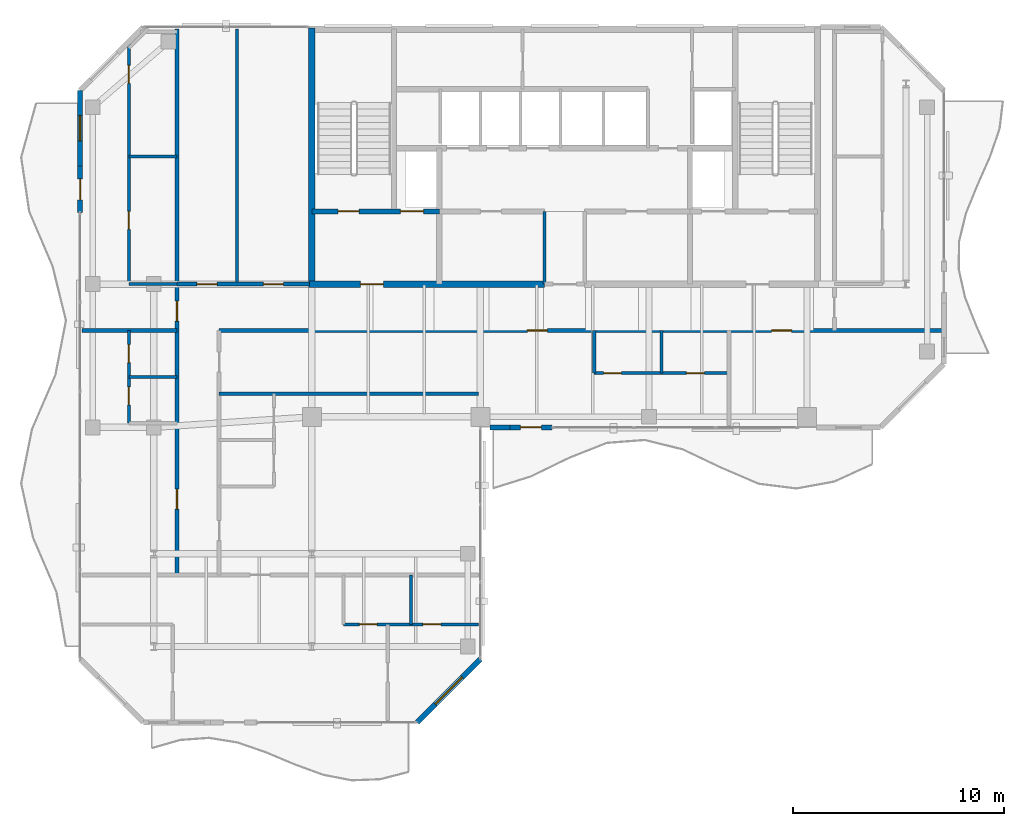
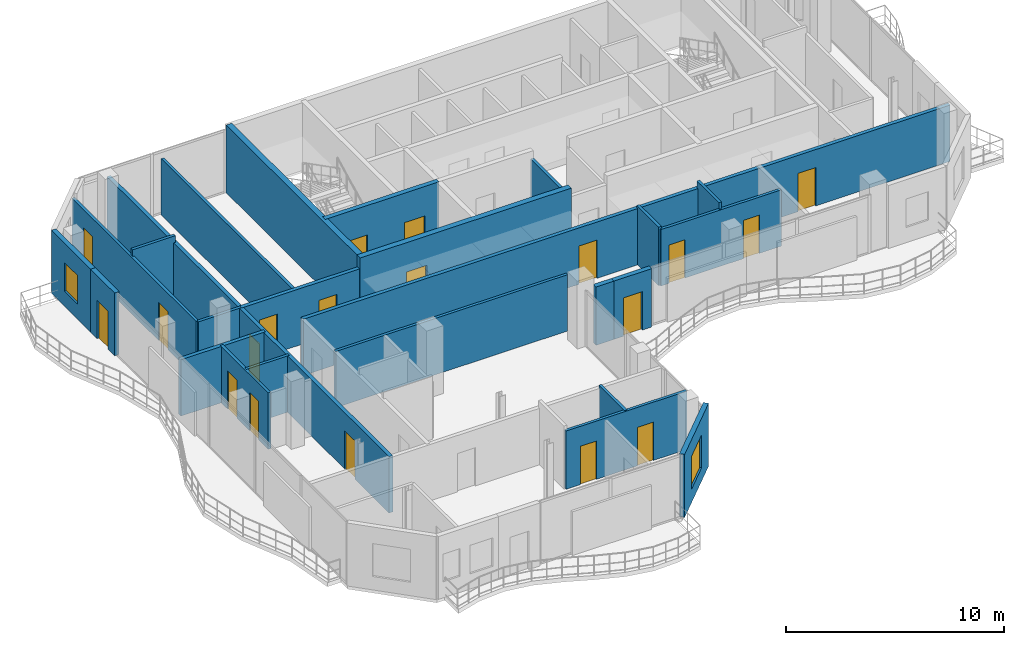
# One storey, part 18 of 23: 25 walls, 19 doors, 2 windows, 21 openings.
"""IFC4 building model written with IfcOpenShell, lengths in metres."""

from ifc_helpers import new_model, si_unit, direction, frame, frame_2d, origin, place, context, subcontext, project, spatial, rectangle, extrude, material, layer, layer_set, type_object, element, fill, save


model = new_model("IFC4")

# Units and contexts
model_context = context("Model", 3, precision=1e-05, world=origin(), true_north=direction((0.0, 1.0)))
body_context = subcontext(model_context, "Body", "Model", "MODEL_VIEW")
ifc_project = project(units=[si_unit("LENGTHUNIT", "METRE"), si_unit("AREAUNIT", "SQUARE_METRE"), si_unit("VOLUMEUNIT", "CUBIC_METRE"), si_unit("PLANEANGLEUNIT", "RADIAN"), si_unit("MASSUNIT", "GRAM", prefix="KILO")], contexts=[model_context])

# Site, building, storey
site_placement = place(None, origin())
site = spatial("IfcSite", under=ifc_project, at=site_placement, CompositionType="ELEMENT")
building_placement = place(site_placement, origin())
building = spatial("IfcBuilding", under=site, at=building_placement, Name="Catumbela Crestline Tower", CompositionType="ELEMENT")
storey_placement = place(building_placement, frame((0.0, 0.0, 248.8)))
storey = spatial("IfcBuildingStorey", under=building, at=storey_placement, Name="L64", CompositionType="ELEMENT", Elevation=248.8)

# Wall, openings, doors
ifc_material_1 = material(Name="Concrete C50/60", Category="concrete")
ifc_layer_1 = layer(ifc_material_1, 0.25, Name="Concrete C50/60")
ifc_layer_set_1 = layer_set([ifc_layer_1], Name="Concrete C50/60")
wall_type_1 = type_object("IfcWallType", Name="CW-250D", PredefinedType="SHEAR", material=ifc_layer_set_1)
wall_1_placement = place(storey_placement, frame((16.0, 34.25, 0.0), z_axis=(0.0, 0.0, 1.0), x_axis=(1.0, 0.0, 0.0)))
wall_1 = element("IfcWall", 1, at=wall_1_placement, inside=storey, type_object=wall_type_1, Name="L64 Structural Core Shear Wall ST1S", PredefinedType="SHEAR", context=body_context, shape_type="SweptSolid", body=[
    extrude(rectangle(XDim=6.05, YDim=0.25, at=frame_2d((3.025, 0.0))), origin(), (0.0, 0.0, 1.0), 3.8),
])
opening_1_placement = place(wall_1_placement, frame((1.25, 0.0, 0.0)))
opening_1 = element("IfcOpeningElement", 2, at=opening_1_placement, cuts=wall_1, Name="Opening DF9-100", PredefinedType="OPENING", context=body_context, shape_type="SweptSolid", body=[
    extrude(rectangle(XDim=1.0, YDim=2.15, at=frame_2d((0.5, 1.075))), frame((0.0, 0.135, 0.0), z_axis=(0.0, -1.0, 0.0), x_axis=(1.0, 0.0, 0.0)), (0.0, 0.0, 1.0), 0.27),
])
opening_2_placement = place(wall_1_placement, frame((4.2, 0.0, 0.0)))
opening_2 = element("IfcOpeningElement", 3, at=opening_2_placement, cuts=wall_1, Name="Opening LD-110", PredefinedType="OPENING", context=body_context, shape_type="SweptSolid", body=[
    extrude(rectangle(XDim=1.1, YDim=2.15, at=frame_2d((0.55, 1.075))), frame((0.0, 0.135, 0.0), z_axis=(0.0, -1.0, 0.0), x_axis=(1.0, 0.0, 0.0)), (0.0, 0.0, 1.0), 0.27),
])
ifc_material_2 = material(Name="Stainless steel EN 1.4401", Category="steel")
door_type_1 = type_object("IfcDoorType", Name="DF9-100", OperationType="NOTDEFINED", PredefinedType="DOOR", material=ifc_material_2)
door_1_placement = place(opening_1_placement, origin())
door_1 = element("IfcDoor", 4, at=door_1_placement, inside=storey, type_object=door_type_1, Name="L64 Interior Door DR-L64-ST01", OperationType="SINGLE_SWING_LEFT", OverallHeight=2.15, OverallWidth=1.0, PredefinedType="DOOR", context=body_context, shape_type="SweptSolid", body=[
    extrude(rectangle(XDim=1.0, YDim=2.15, at=frame_2d((0.5, 1.075))), frame((0.0, 0.025, 0.0), z_axis=(0.0, -1.0, 0.0), x_axis=(1.0, 0.0, 0.0)), (0.0, 0.0, 1.0), 0.05),
])
fill(opening_1, door_1)
door_type_2 = type_object("IfcDoorType", Name="LD-110", OperationType="NOTDEFINED", PredefinedType="DOOR", material=ifc_material_2)
door_2_placement = place(opening_2_placement, origin())
door_2 = element("IfcDoor", 5, at=door_2_placement, inside=storey, type_object=door_type_2, Name="L64 Lift Landing Sliding Door FL-01", OperationType="DOUBLE_DOOR_SLIDING", OverallHeight=2.15, OverallWidth=1.1, PredefinedType="DOOR", context=body_context, shape_type="SweptSolid", body=[
    extrude(rectangle(XDim=1.1, YDim=2.15, at=frame_2d((0.55, 1.075))), frame((0.0, 0.025, 0.0), z_axis=(0.0, -1.0, 0.0), x_axis=(1.0, 0.0, 0.0)), (0.0, 0.0, 1.0), 0.05),
])
fill(opening_2, door_2)

# Wall
ifc_material_3 = material(Name="Concrete C45/55", Category="concrete")
ifc_layer_2 = layer(ifc_material_3, 0.3, Name="Concrete C45/55")
ifc_layer_set_2 = layer_set([ifc_layer_2], Name="Concrete C45/55")
wall_type_2 = type_object("IfcWallType", Name="CW-300C", PredefinedType="SHEAR", material=ifc_layer_set_2)
wall_2_placement = place(storey_placement, frame((16.0, 30.65, 0.0), z_axis=(0.0, 0.0, 1.0), x_axis=(0.0, 1.0, 0.0)))
element("IfcWall", 6, at=wall_2_placement, inside=storey, type_object=wall_type_2, Name="L64 Structural Core Shear Wall W", PredefinedType="SHEAR", context=body_context, shape_type="SweptSolid", body=[
    extrude(rectangle(XDim=12.3, YDim=0.3, at=frame_2d((6.15, 0.0))), origin(), (0.0, 0.0, 1.0), 3.8),
])

# Wall, opening, door
wall_3_placement = place(storey_placement, frame((15.85, 30.8, 0.0), z_axis=(0.0, 0.0, 1.0), x_axis=(1.0, 0.0, 0.0)))
wall_3 = element("IfcWall", 7, at=wall_3_placement, inside=storey, type_object=wall_type_2, Name="L64 Structural Core Shear Wall SW", PredefinedType="SHEAR", context=body_context, shape_type="SweptSolid", body=[
    extrude(rectangle(XDim=11.2, YDim=0.3, at=frame_2d((5.6, 0.0))), origin(), (0.0, 0.0, 1.0), 3.8),
])
opening_3_placement = place(wall_3_placement, frame((2.45, 0.0, 0.0)))
opening_3 = element("IfcOpeningElement", 8, at=opening_3_placement, cuts=wall_3, Name="Opening DF9-110", PredefinedType="OPENING", context=body_context, shape_type="SweptSolid", body=[
    extrude(rectangle(XDim=1.1, YDim=2.15, at=frame_2d((0.55, 1.075))), frame((0.0, 0.16, 0.0), z_axis=(0.0, -1.0, 0.0), x_axis=(1.0, 0.0, 0.0)), (0.0, 0.0, 1.0), 0.32),
])
door_type_3 = type_object("IfcDoorType", Name="DF9-110", OperationType="NOTDEFINED", PredefinedType="DOOR", material=ifc_material_2)
door_3_placement = place(opening_3_placement, origin())
door_3 = element("IfcDoor", 9, at=door_3_placement, inside=storey, type_object=door_type_3, Name="L64 Interior Door DR-L64-FFW-S", OperationType="SINGLE_SWING_LEFT", OverallHeight=2.15, OverallWidth=1.1, PredefinedType="DOOR", context=body_context, shape_type="SweptSolid", body=[
    extrude(rectangle(XDim=1.1, YDim=2.15, at=frame_2d((0.55, 1.075))), frame((0.0, 0.025, 0.0), z_axis=(0.0, -1.0, 0.0), x_axis=(1.0, 0.0, 0.0)), (0.0, 0.0, 1.0), 0.05),
])
fill(opening_3, door_3)

# Wall, openings, doors
ifc_material_4 = material(Name="Acoustic gypsum and mineral-wool partition")
ifc_layer_3 = layer(ifc_material_4, 0.2, Name="Acoustic gypsum and mineral-wool partition")
ifc_layer_set_3 = layer_set([ifc_layer_3], Name="Acoustic gypsum and mineral-wool partition")
wall_type_3 = type_object("IfcWallType", Name="WC-200", PredefinedType="PARTITIONING", material=ifc_layer_set_3)
wall_4_placement = place(storey_placement, frame((11.6, 28.6, 0.0), z_axis=(0.0, 0.0, 1.0), x_axis=(1.0, 0.0, 0.0)))
wall_4 = element("IfcWall", 10, at=wall_4_placement, inside=storey, type_object=wall_type_3, Name="L64 Interior Partition PW-L64-RCWR", PredefinedType="PARTITIONING", context=body_context, shape_type="SweptSolid", body=[
    extrude(rectangle(XDim=34.3, YDim=0.2, at=frame_2d((17.15, 0.0))), origin(), (0.0, 0.0, 1.0), 3.16),
])
opening_4_placement = place(wall_4_placement, frame((14.625, 0.0, 0.0)))
opening_4 = element("IfcOpeningElement", 11, at=opening_4_placement, cuts=wall_4, Name="Opening DF6-095", PredefinedType="OPENING", context=body_context, shape_type="SweptSolid", body=[
    extrude(rectangle(XDim=0.95, YDim=2.15, at=frame_2d((0.475, 1.075))), frame((0.0, 0.11, 0.0), z_axis=(0.0, -1.0, 0.0), x_axis=(1.0, 0.0, 0.0)), (0.0, 0.0, 1.0), 0.22),
])
opening_5_placement = place(wall_4_placement, frame((26.225, 0.0, 0.0)))
opening_5 = element("IfcOpeningElement", 12, at=opening_5_placement, cuts=wall_4, Name="Opening DF6-095", PredefinedType="OPENING", context=body_context, shape_type="SweptSolid", body=[
    extrude(rectangle(XDim=0.95, YDim=2.15, at=frame_2d((0.475, 1.075))), frame((0.0, 0.11, 0.0), z_axis=(0.0, -1.0, 0.0), x_axis=(1.0, 0.0, 0.0)), (0.0, 0.0, 1.0), 0.22),
])
ifc_material_5 = material(Name="Aluminium alloy AW-6060-T66", Category="aluminium")
door_type_4 = type_object("IfcDoorType", Name="DF6-095", OperationType="NOTDEFINED", PredefinedType="DOOR", material=ifc_material_5)
door_4_placement = place(opening_4_placement, origin())
door_4 = element("IfcDoor", 13, at=door_4_placement, inside=storey, type_object=door_type_4, Name="L64 Interior Door DR-L64-S1-ENT", OperationType="SINGLE_SWING_LEFT", OverallHeight=2.15, OverallWidth=0.95, PredefinedType="DOOR", context=body_context, shape_type="SweptSolid", body=[
    extrude(rectangle(XDim=0.95, YDim=2.15, at=frame_2d((0.475, 1.075))), frame((0.0, 0.025, 0.0), z_axis=(0.0, -1.0, 0.0), x_axis=(1.0, 0.0, 0.0)), (0.0, 0.0, 1.0), 0.05),
])
fill(opening_4, door_4)
door_5_placement = place(opening_5_placement, origin())
door_5 = element("IfcDoor", 14, at=door_5_placement, inside=storey, type_object=door_type_4, Name="L64 Interior Door DR-L64-RWIN-ENT", OperationType="SINGLE_SWING_LEFT", OverallHeight=2.15, OverallWidth=0.95, PredefinedType="DOOR", context=body_context, shape_type="SweptSolid", body=[
    extrude(rectangle(XDim=0.95, YDim=2.15, at=frame_2d((0.475, 1.075))), frame((0.0, 0.025, 0.0), z_axis=(0.0, -1.0, 0.0), x_axis=(1.0, 0.0, 0.0)), (0.0, 0.0, 1.0), 0.05),
])
fill(opening_5, door_5)

wall_5_placement = place(storey_placement, frame((9.6, 17.0, 0.0), z_axis=(0.0, 0.0, 1.0), x_axis=(0.0, 1.0, 0.0)))
wall_5 = element("IfcWall", 15, at=wall_5_placement, inside=storey, type_object=wall_type_3, Name="L64 Interior Partition PW-L64-NW1-ENT", PredefinedType="PARTITIONING", context=body_context, shape_type="SweptSolid", body=[
    extrude(rectangle(XDim=25.9, YDim=0.2, at=frame_2d((12.95, 0.0))), origin(), (0.0, 0.0, 1.0), 3.16),
])
opening_6_placement = place(wall_5_placement, frame((12.045, 0.0, 0.0)))
opening_6 = element("IfcOpeningElement", 16, at=opening_6_placement, cuts=wall_5, Name="Opening DF6-095", PredefinedType="OPENING", context=body_context, shape_type="SweptSolid", body=[
    extrude(rectangle(XDim=0.95, YDim=2.15, at=frame_2d((0.475, 1.075))), frame((0.0, 0.11, 0.0), z_axis=(0.0, -1.0, 0.0), x_axis=(1.0, 0.0, 0.0)), (0.0, 0.0, 1.0), 0.22),
])
opening_7_placement = place(wall_5_placement, frame((3.125, 0.0, 0.0)))
opening_7 = element("IfcOpeningElement", 17, at=opening_7_placement, cuts=wall_5, Name="Opening DF6-095", PredefinedType="OPENING", context=body_context, shape_type="SweptSolid", body=[
    extrude(rectangle(XDim=0.95, YDim=2.15, at=frame_2d((0.475, 1.075))), frame((0.0, 0.11, 0.0), z_axis=(0.0, -1.0, 0.0), x_axis=(1.0, 0.0, 0.0)), (0.0, 0.0, 1.0), 0.22),
])
door_6_placement = place(opening_6_placement, origin())
door_6 = element("IfcDoor", 18, at=door_6_placement, inside=storey, type_object=door_type_4, Name="L64 Interior Door DR-L64-NW1-ENT", OperationType="SINGLE_SWING_LEFT", OverallHeight=2.15, OverallWidth=0.95, PredefinedType="DOOR", context=body_context, shape_type="SweptSolid", body=[
    extrude(rectangle(XDim=0.95, YDim=2.15, at=frame_2d((0.475, 1.075))), frame((0.0, 0.025, 0.0), z_axis=(0.0, -1.0, 0.0), x_axis=(1.0, 0.0, 0.0)), (0.0, 0.0, 1.0), 0.05),
])
fill(opening_6, door_6)
door_7_placement = place(opening_7_placement, origin())
door_7 = element("IfcDoor", 19, at=door_7_placement, inside=storey, type_object=door_type_4, Name="L64 Interior Door DR-L64-WL1-ENT", OperationType="SINGLE_SWING_LEFT", OverallHeight=2.15, OverallWidth=0.95, PredefinedType="DOOR", context=body_context, shape_type="SweptSolid", body=[
    extrude(rectangle(XDim=0.95, YDim=2.15, at=frame_2d((0.475, 1.075))), frame((0.0, 0.025, 0.0), z_axis=(0.0, -1.0, 0.0), x_axis=(1.0, 0.0, 0.0)), (0.0, 0.0, 1.0), 0.05),
])
fill(opening_7, door_7)

wall_6_placement = place(storey_placement, frame((9.6, 30.8, 0.0), z_axis=(0.0, 0.0, 1.0), x_axis=(1.0, 0.0, 0.0)))
wall_6 = element("IfcWall", 20, at=wall_6_placement, inside=storey, type_object=wall_type_3, Name="L64 Interior Partition PW-L64-NWST-ENT", PredefinedType="PARTITIONING", context=body_context, shape_type="SweptSolid", body=[
    extrude(rectangle(XDim=6.3, YDim=0.2, at=frame_2d((3.15, 0.0))), origin(), (0.0, 0.0, 1.0), 3.16),
])
opening_8_placement = place(wall_6_placement, frame((0.95, 0.0, 0.0)))
opening_8 = element("IfcOpeningElement", 21, at=opening_8_placement, cuts=wall_6, Name="Opening DF6-095", PredefinedType="OPENING", context=body_context, shape_type="SweptSolid", body=[
    extrude(rectangle(XDim=0.95, YDim=2.15, at=frame_2d((0.475, 1.075))), frame((0.0, 0.11, 0.0), z_axis=(0.0, -1.0, 0.0), x_axis=(1.0, 0.0, 0.0)), (0.0, 0.0, 1.0), 0.22),
])
opening_9_placement = place(wall_6_placement, frame((4.1, 0.0, 0.0)))
opening_9 = element("IfcOpeningElement", 22, at=opening_9_placement, cuts=wall_6, Name="Opening DF6-095", PredefinedType="OPENING", context=body_context, shape_type="SweptSolid", body=[
    extrude(rectangle(XDim=0.95, YDim=2.15, at=frame_2d((0.475, 1.075))), frame((0.0, 0.11, 0.0), z_axis=(0.0, -1.0, 0.0), x_axis=(1.0, 0.0, 0.0)), (0.0, 0.0, 1.0), 0.22),
])
door_8_placement = place(opening_8_placement, origin())
door_8 = element("IfcDoor", 23, at=door_8_placement, inside=storey, type_object=door_type_4, Name="L64 Interior Door DR-L64-NWST-ENT", OperationType="SINGLE_SWING_LEFT", OverallHeight=2.15, OverallWidth=0.95, PredefinedType="DOOR", context=body_context, shape_type="SweptSolid", body=[
    extrude(rectangle(XDim=0.95, YDim=2.15, at=frame_2d((0.475, 1.075))), frame((0.0, 0.025, 0.0), z_axis=(0.0, -1.0, 0.0), x_axis=(1.0, 0.0, 0.0)), (0.0, 0.0, 1.0), 0.05),
])
fill(opening_8, door_8)
door_9_placement = place(opening_9_placement, origin())
door_9 = element("IfcDoor", 24, at=door_9_placement, inside=storey, type_object=door_type_4, Name="L64 Interior Door DR-L64-NWMT-ENT", OperationType="SINGLE_SWING_LEFT", OverallHeight=2.15, OverallWidth=0.95, PredefinedType="DOOR", context=body_context, shape_type="SweptSolid", body=[
    extrude(rectangle(XDim=0.95, YDim=2.15, at=frame_2d((0.475, 1.075))), frame((0.0, 0.025, 0.0), z_axis=(0.0, -1.0, 0.0), x_axis=(1.0, 0.0, 0.0)), (0.0, 0.0, 1.0), 0.05),
])
fill(opening_9, door_9)

# Wall, opening, window
ifc_material_6 = material(Name="Angolan grey-ochre granite", Category="masonry")
ifc_layer_4 = layer(ifc_material_6, 0.25, Name="Angolan grey-ochre granite")
ifc_layer_set_4 = layer_set([ifc_layer_4], Name="Angolan grey-ochre granite")
wall_type_4 = type_object("IfcWallType", Name="WE-250", PredefinedType="STANDARD", material=ifc_layer_set_4)
wall_7_placement = place(storey_placement, frame((21.0, 10.0, 0.0), z_axis=(0.0, 0.0, 1.0), x_axis=(0.707106781187, 0.707106781187, 0.0)))
wall_7 = element("IfcWall", 25, at=wall_7_placement, inside=storey, type_object=wall_type_4, Name="L64 Granite Punched Window Wall 1-1", PredefinedType="STANDARD", context=body_context, shape_type="SweptSolid", body=[
    extrude(rectangle(XDim=4.2426, YDim=0.25, at=frame_2d((2.1213, 0.0))), origin(), (0.0, 0.0, 1.0), 3.53),
])
opening_10_placement = place(wall_7_placement, frame((1.2213, 0.0, 0.75)))
opening_10 = element("IfcOpeningElement", 26, at=opening_10_placement, cuts=wall_7, Name="Opening WN-01", PredefinedType="OPENING", context=body_context, shape_type="SweptSolid", body=[
    extrude(rectangle(XDim=1.8, YDim=1.85, at=frame_2d((0.9, 0.925))), frame((0.0, 0.135, 0.0), z_axis=(0.0, -1.0, 0.0), x_axis=(1.0, 0.0, 0.0)), (0.0, 0.0, 1.0), 0.27),
])
ifc_material_7 = material(Name="Low-E laminated solar-control double glazing", Category="glass")
window_type_1 = type_object("IfcWindowType", Name="WF-1800", PartitioningType="SINGLE_PANEL", PredefinedType="WINDOW", material=ifc_material_7)
window_1_placement = place(opening_10_placement, origin())
window_1 = element("IfcWindow", 27, at=window_1_placement, inside=storey, type_object=window_type_1, Name="L64 Facade Vision Window 481", OverallHeight=1.85, OverallWidth=1.8, PartitioningType="SINGLE_PANEL", PredefinedType="WINDOW", context=body_context, shape_type="SweptSolid", body=[
    extrude(rectangle(XDim=1.8, YDim=1.85, at=frame_2d((0.9, 0.925))), frame((0.0, 0.03, 0.0), z_axis=(0.0, -1.0, 0.0), x_axis=(1.0, 0.0, 0.0)), (0.0, 0.0, 1.0), 0.06),
])
fill(opening_10, window_1)

# Wall, opening, door
wall_8_placement = place(storey_placement, frame((25.4, 24.0, 0.0), z_axis=(0.0, 0.0, 1.0), x_axis=(1.0, 0.0, 0.0)))
wall_8 = element("IfcWall", 28, at=wall_8_placement, inside=storey, type_object=wall_type_4, Name="L64 Exterior Threshold Portal Wall DR-L64-WBAL-1", PredefinedType="STANDARD", context=body_context, shape_type="SweptSolid", body=[
    extrude(rectangle(XDim=2.0, YDim=0.25, at=frame_2d((1.0, 0.0))), origin(), (0.0, 0.0, 1.0), 3.27),
])
opening_11_placement = place(wall_8_placement, frame((0.5, 0.0, 0.0)))
opening_11 = element("IfcOpeningElement", 29, at=opening_11_placement, cuts=wall_8, Name="Opening DB-L64-1", PredefinedType="OPENING", context=body_context, shape_type="SweptSolid", body=[
    extrude(rectangle(XDim=1.0, YDim=2.15, at=frame_2d((0.5, 1.075))), frame((0.0, 0.135, 0.0), z_axis=(0.0, -1.0, 0.0), x_axis=(1.0, 0.0, 0.0)), (0.0, 0.0, 1.0), 0.27),
])
door_type_5 = type_object("IfcDoorType", Name="DB-1000", OperationType="NOTDEFINED", PredefinedType="DOOR", material=ifc_material_5)
door_10_placement = place(opening_11_placement, origin())
door_10 = element("IfcDoor", 30, at=door_10_placement, inside=storey, type_object=door_type_5, Name="L64 Wave Balcony Terrace Door 1", OperationType="SINGLE_SWING_RIGHT", OverallHeight=2.15, OverallWidth=1.0, PredefinedType="DOOR", context=body_context, shape_type="SweptSolid", body=[
    extrude(rectangle(XDim=1.0, YDim=2.15, at=frame_2d((0.5, 1.075))), frame((0.0, 0.025, 0.0), z_axis=(0.0, -1.0, 0.0), x_axis=(1.0, 0.0, 0.0)), (0.0, 0.0, 1.0), 0.05),
])
fill(opening_11, door_10)

# Wall
wall_9_placement = place(storey_placement, frame((24.45, 24.0, 0.0), z_axis=(0.0, 0.0, 1.0), x_axis=(1.0, 0.0, 0.0)))
element("IfcWall", 31, at=wall_9_placement, inside=storey, type_object=wall_type_4, Name="L64 Granite Punched Window Wall 3-1", PredefinedType="STANDARD", context=body_context, shape_type="SweptSolid", body=[
    extrude(rectangle(XDim=0.95, YDim=0.25, at=frame_2d((0.475, 0.0))), origin(), (0.0, 0.0, 1.0), 3.27),
])

# Wall, opening, door
wall_10_placement = place(storey_placement, frame((5.0, 36.4, 0.0), z_axis=(0.0, 0.0, 1.0), x_axis=(0.0, -1.0, 0.0)))
wall_10 = element("IfcWall", 32, at=wall_10_placement, inside=storey, type_object=wall_type_4, Name="L64 Exterior Threshold Portal Wall DR-L64-WBAL-4", PredefinedType="STANDARD", context=body_context, shape_type="SweptSolid", body=[
    extrude(rectangle(XDim=2.2, YDim=0.25, at=frame_2d((1.1, 0.0))), origin(), (0.0, 0.0, 1.0), 3.53),
])
opening_12_placement = place(wall_10_placement, frame((0.6, 0.0, 0.0)))
opening_12 = element("IfcOpeningElement", 33, at=opening_12_placement, cuts=wall_10, Name="Opening DB-L64-4", PredefinedType="OPENING", context=body_context, shape_type="SweptSolid", body=[
    extrude(rectangle(XDim=1.0, YDim=2.15, at=frame_2d((0.5, 1.075))), frame((0.0, 0.135, 0.0), z_axis=(0.0, -1.0, 0.0), x_axis=(1.0, 0.0, 0.0)), (0.0, 0.0, 1.0), 0.27),
])
door_11_placement = place(opening_12_placement, origin())
door_11 = element("IfcDoor", 34, at=door_11_placement, inside=storey, type_object=door_type_5, Name="L64 Wave Balcony Terrace Door 4", OperationType="SINGLE_SWING_LEFT", OverallHeight=2.15, OverallWidth=1.0, PredefinedType="DOOR", context=body_context, shape_type="SweptSolid", body=[
    extrude(rectangle(XDim=1.0, YDim=2.15, at=frame_2d((0.5, 1.075))), frame((0.0, 0.025, 0.0), z_axis=(0.0, -1.0, 0.0), x_axis=(1.0, 0.0, 0.0)), (0.0, 0.0, 1.0), 0.05),
])
fill(opening_12, door_11)

# Wall, opening, window
wall_11_placement = place(storey_placement, frame((5.0, 40.0, 0.0), z_axis=(0.0, 0.0, 1.0), x_axis=(0.0, -1.0, 0.0)))
wall_11 = element("IfcWall", 35, at=wall_11_placement, inside=storey, type_object=wall_type_4, Name="L64 Granite Punched Window Wall 9-1", PredefinedType="STANDARD", context=body_context, shape_type="SweptSolid", body=[
    extrude(rectangle(XDim=3.6, YDim=0.25, at=frame_2d((1.8, 0.0))), origin(), (0.0, 0.0, 1.0), 3.53),
])
opening_13_placement = place(wall_11_placement, frame((1.2, 0.0, 0.85)))
opening_13 = element("IfcOpeningElement", 36, at=opening_13_placement, cuts=wall_11, Name="Opening WN-02", PredefinedType="OPENING", context=body_context, shape_type="SweptSolid", body=[
    extrude(rectangle(XDim=1.2, YDim=1.6, at=frame_2d((0.6, 0.8))), frame((0.0, 0.135, 0.0), z_axis=(0.0, -1.0, 0.0), x_axis=(1.0, 0.0, 0.0)), (0.0, 0.0, 1.0), 0.27),
])
window_type_2 = type_object("IfcWindowType", Name="WO-1200", PartitioningType="SINGLE_PANEL", PredefinedType="WINDOW", material=ifc_material_7)
window_2_placement = place(opening_13_placement, origin())
window_2 = element("IfcWindow", 37, at=window_2_placement, inside=storey, type_object=window_type_2, Name="L64 Facade Vision Window 488", OverallHeight=1.6, OverallWidth=1.2, PartitioningType="SINGLE_PANEL", PredefinedType="WINDOW", context=body_context, shape_type="SweptSolid", body=[
    extrude(rectangle(XDim=1.2, YDim=1.6, at=frame_2d((0.6, 0.8))), frame((0.0, 0.03, 0.0), z_axis=(0.0, -1.0, 0.0), x_axis=(1.0, 0.0, 0.0)), (0.0, 0.0, 1.0), 0.06),
])
fill(opening_13, window_2)

# Walls
ifc_layer_5 = layer(ifc_material_4, 0.15, Name="Acoustic gypsum and mineral-wool partition")
ifc_layer_set_5 = layer_set([ifc_layer_5], Name="Acoustic gypsum and mineral-wool partition")
wall_type_5 = type_object("IfcWallType", Name="WP-150", PredefinedType="PARTITIONING", material=ifc_layer_set_5)
wall_12_placement = place(storey_placement, frame((7.32, 30.8, 0.0), z_axis=(0.0, 0.0, 1.0), x_axis=(1.0, 0.0, 0.0)))
element("IfcWall", 38, at=wall_12_placement, inside=storey, type_object=wall_type_5, Name="L64 Interior Partition PW-L64-NW1-KBS", PredefinedType="PARTITIONING", context=body_context, shape_type="SweptSolid", body=[
    extrude(rectangle(XDim=2.28, YDim=0.15, at=frame_2d((1.14, 0.0))), origin(), (0.0, 0.0, 1.0), 3.16),
])
wall_13_placement = place(storey_placement, frame((7.32, 36.85, 0.0), z_axis=(0.0, 0.0, 1.0), x_axis=(1.0, 0.0, 0.0)))
element("IfcWall", 39, at=wall_13_placement, inside=storey, type_object=wall_type_5, Name="L64 Interior Partition PW-L64-NW1-KBM", PredefinedType="PARTITIONING", context=body_context, shape_type="SweptSolid", body=[
    extrude(rectangle(XDim=2.28, YDim=0.15, at=frame_2d((1.14, 0.0))), origin(), (0.0, 0.0, 1.0), 3.53),
])

# Wall, openings, doors
wall_14_placement = place(storey_placement, frame((7.32, 30.8, 0.0), z_axis=(0.0, 0.0, 1.0), x_axis=(0.0, 1.0, 0.0)))
wall_14 = element("IfcWall", 40, at=wall_14_placement, inside=storey, type_object=wall_type_5, Name="L64 Interior Partition PW-L64-NW1-SK1", PredefinedType="PARTITIONING", context=body_context, shape_type="SweptSolid", body=[
    extrude(rectangle(XDim=11.42, YDim=0.15, at=frame_2d((5.71, 0.0))), origin(), (0.0, 0.0, 1.0), 3.16),
])
opening_14_placement = place(wall_14_placement, frame((2.6, 0.0, 0.0)))
opening_14 = element("IfcOpeningElement", 41, at=opening_14_placement, cuts=wall_14, Name="Opening DI-085", PredefinedType="OPENING", context=body_context, shape_type="SweptSolid", body=[
    extrude(rectangle(XDim=0.85, YDim=2.15, at=frame_2d((0.425, 1.075))), frame((0.0, 0.085, 0.0), z_axis=(0.0, -1.0, 0.0), x_axis=(1.0, 0.0, 0.0)), (0.0, 0.0, 1.0), 0.17),
])
opening_15_placement = place(wall_14_placement, frame((9.5261, 0.0, 0.0)))
opening_15 = element("IfcOpeningElement", 42, at=opening_15_placement, cuts=wall_14, Name="Opening DI-085", PredefinedType="OPENING", context=body_context, shape_type="SweptSolid", body=[
    extrude(rectangle(XDim=0.85, YDim=2.15, at=frame_2d((0.425, 1.075))), frame((0.0, 0.085, 0.0), z_axis=(0.0, -1.0, 0.0), x_axis=(1.0, 0.0, 0.0)), (0.0, 0.0, 1.0), 0.17),
])
door_type_6 = type_object("IfcDoorType", Name="DI-085", OperationType="NOTDEFINED", PredefinedType="DOOR", material=ifc_material_5)
door_12_placement = place(opening_14_placement, origin())
door_12 = element("IfcDoor", 43, at=door_12_placement, inside=storey, type_object=door_type_6, Name="L64 Interior Door DR-L64-NW1-KIT", OperationType="SINGLE_SWING_LEFT", OverallHeight=2.15, OverallWidth=0.85, PredefinedType="DOOR", context=body_context, shape_type="SweptSolid", body=[
    extrude(rectangle(XDim=0.85, YDim=2.15, at=frame_2d((0.425, 1.075))), frame((0.0, 0.025, 0.0), z_axis=(0.0, -1.0, 0.0), x_axis=(1.0, 0.0, 0.0)), (0.0, 0.0, 1.0), 0.05),
])
fill(opening_14, door_12)
door_13_placement = place(opening_15_placement, origin())
door_13 = element("IfcDoor", 44, at=door_13_placement, inside=storey, type_object=door_type_6, Name="L64 Interior Door DR-L64-NW1-BTH", OperationType="SINGLE_SWING_RIGHT", OverallHeight=2.15, OverallWidth=0.85, PredefinedType="DOOR", context=body_context, shape_type="SweptSolid", body=[
    extrude(rectangle(XDim=0.85, YDim=2.15, at=frame_2d((0.425, 1.075))), frame((0.0, 0.025, 0.0), z_axis=(0.0, -1.0, 0.0), x_axis=(1.0, 0.0, 0.0)), (0.0, 0.0, 1.0), 0.05),
])
fill(opening_15, door_13)

# Walls
wall_15_placement = place(storey_placement, frame((12.45, 30.8, 0.0), z_axis=(0.0, 0.0, 1.0), x_axis=(0.0, 1.0, 0.0)))
element("IfcWall", 45, at=wall_15_placement, inside=storey, type_object=wall_type_5, Name="L64 Interior Partition PW-L64-NWSTM", PredefinedType="PARTITIONING", context=body_context, shape_type="SweptSolid", body=[
    extrude(rectangle(XDim=12.1, YDim=0.15, at=frame_2d((6.05, 0.0))), origin(), (0.0, 0.0, 1.0), 3.16),
])
wall_16_placement = place(storey_placement, frame((29.4, 26.576, 0.0), z_axis=(0.0, 0.0, 1.0), x_axis=(0.0, 1.0, 0.0)))
element("IfcWall", 46, at=wall_16_placement, inside=storey, type_object=wall_type_5, Name="L64 Interior Partition PW-L64-S1-KBW", PredefinedType="PARTITIONING", context=body_context, shape_type="SweptSolid", body=[
    extrude(rectangle(XDim=2.024, YDim=0.15, at=frame_2d((1.012, 0.0))), origin(), (0.0, 0.0, 1.0), 3.28),
])
wall_17_placement = place(storey_placement, frame((32.6, 26.576, 0.0), z_axis=(0.0, 0.0, 1.0), x_axis=(0.0, 1.0, 0.0)))
element("IfcWall", 47, at=wall_17_placement, inside=storey, type_object=wall_type_5, Name="L64 Interior Partition PW-L64-S1-KBM", PredefinedType="PARTITIONING", context=body_context, shape_type="SweptSolid", body=[
    extrude(rectangle(XDim=2.024, YDim=0.15, at=frame_2d((1.012, 0.0))), origin(), (0.0, 0.0, 1.0), 3.53),
])

# Wall, openings, doors
wall_18_placement = place(storey_placement, frame((29.4, 26.576, 0.0), z_axis=(0.0, 0.0, 1.0), x_axis=(1.0, 0.0, 0.0)))
wall_18 = element("IfcWall", 48, at=wall_18_placement, inside=storey, type_object=wall_type_5, Name="L64 Interior Partition PW-L64-S1-KBD1", PredefinedType="PARTITIONING", context=body_context, shape_type="SweptSolid", body=[
    extrude(rectangle(XDim=6.4, YDim=0.15, at=frame_2d((3.2, 0.0))), origin(), (0.0, 0.0, 1.0), 3.16),
])
opening_16_placement = place(wall_18_placement, frame((0.4453, 0.0, 0.0)))
opening_16 = element("IfcOpeningElement", 49, at=opening_16_placement, cuts=wall_18, Name="Opening DI-085", PredefinedType="OPENING", context=body_context, shape_type="SweptSolid", body=[
    extrude(rectangle(XDim=0.85, YDim=2.15, at=frame_2d((0.425, 1.075))), frame((0.0, 0.085, 0.0), z_axis=(0.0, -1.0, 0.0), x_axis=(1.0, 0.0, 0.0)), (0.0, 0.0, 1.0), 0.17),
])
opening_17_placement = place(wall_18_placement, frame((4.375, 0.0, 0.0)))
opening_17 = element("IfcOpeningElement", 50, at=opening_17_placement, cuts=wall_18, Name="Opening DI-085", PredefinedType="OPENING", context=body_context, shape_type="SweptSolid", body=[
    extrude(rectangle(XDim=0.85, YDim=2.15, at=frame_2d((0.425, 1.075))), frame((0.0, 0.085, 0.0), z_axis=(0.0, -1.0, 0.0), x_axis=(1.0, 0.0, 0.0)), (0.0, 0.0, 1.0), 0.17),
])
door_14_placement = place(opening_16_placement, origin())
door_14 = element("IfcDoor", 51, at=door_14_placement, inside=storey, type_object=door_type_6, Name="L64 Interior Door DR-L64-S1-BTH", OperationType="SINGLE_SWING_LEFT", OverallHeight=2.15, OverallWidth=0.85, PredefinedType="DOOR", context=body_context, shape_type="SweptSolid", body=[
    extrude(rectangle(XDim=0.85, YDim=2.15, at=frame_2d((0.425, 1.075))), frame((0.0, 0.025, 0.0), z_axis=(0.0, -1.0, 0.0), x_axis=(1.0, 0.0, 0.0)), (0.0, 0.0, 1.0), 0.05),
])
fill(opening_16, door_14)
door_15_placement = place(opening_17_placement, origin())
door_15 = element("IfcDoor", 52, at=door_15_placement, inside=storey, type_object=door_type_6, Name="L64 Interior Door DR-L64-S1-KIT", OperationType="SINGLE_SWING_RIGHT", OverallHeight=2.15, OverallWidth=0.85, PredefinedType="DOOR", context=body_context, shape_type="SweptSolid", body=[
    extrude(rectangle(XDim=0.85, YDim=2.15, at=frame_2d((0.425, 1.075))), frame((0.0, 0.025, 0.0), z_axis=(0.0, -1.0, 0.0), x_axis=(1.0, 0.0, 0.0)), (0.0, 0.0, 1.0), 0.05),
])
fill(opening_17, door_15)

# Wall
wall_19_placement = place(storey_placement, frame((7.32, 26.4, 0.0), z_axis=(0.0, 0.0, 1.0), x_axis=(1.0, 0.0, 0.0)))
element("IfcWall", 53, at=wall_19_placement, inside=storey, type_object=wall_type_5, Name="L64 Interior Partition PW-L64-WL1-KBM", PredefinedType="PARTITIONING", context=body_context, shape_type="SweptSolid", body=[
    extrude(rectangle(XDim=2.28, YDim=0.15, at=frame_2d((1.14, 0.0))), origin(), (0.0, 0.0, 1.0), 3.16),
])

# Wall, openings, doors
wall_20_placement = place(storey_placement, frame((7.32, 24.2, 0.0), z_axis=(0.0, 0.0, 1.0), x_axis=(0.0, 1.0, 0.0)))
wall_20 = element("IfcWall", 54, at=wall_20_placement, inside=storey, type_object=wall_type_5, Name="L64 Interior Partition PW-L64-WL1-SK1", PredefinedType="PARTITIONING", context=body_context, shape_type="SweptSolid", body=[
    extrude(rectangle(XDim=4.4, YDim=0.15, at=frame_2d((2.2, 0.0))), origin(), (0.0, 0.0, 1.0), 3.16),
])
opening_18_placement = place(wall_20_placement, frame((0.8733, 0.0, 0.0)))
opening_18 = element("IfcOpeningElement", 55, at=opening_18_placement, cuts=wall_20, Name="Opening DI-085", PredefinedType="OPENING", context=body_context, shape_type="SweptSolid", body=[
    extrude(rectangle(XDim=0.85, YDim=2.15, at=frame_2d((0.425, 1.075))), frame((0.0, 0.085, 0.0), z_axis=(0.0, -1.0, 0.0), x_axis=(1.0, 0.0, 0.0)), (0.0, 0.0, 1.0), 0.17),
])
opening_19_placement = place(wall_20_placement, frame((2.875, 0.0, 0.0)))
opening_19 = element("IfcOpeningElement", 56, at=opening_19_placement, cuts=wall_20, Name="Opening DI-085", PredefinedType="OPENING", context=body_context, shape_type="SweptSolid", body=[
    extrude(rectangle(XDim=0.85, YDim=2.15, at=frame_2d((0.425, 1.075))), frame((0.0, 0.085, 0.0), z_axis=(0.0, -1.0, 0.0), x_axis=(1.0, 0.0, 0.0)), (0.0, 0.0, 1.0), 0.17),
])
door_16_placement = place(opening_18_placement, origin())
door_16 = element("IfcDoor", 57, at=door_16_placement, inside=storey, type_object=door_type_6, Name="L64 Interior Door DR-L64-WL1-KIT", OperationType="SINGLE_SWING_LEFT", OverallHeight=2.15, OverallWidth=0.85, PredefinedType="DOOR", context=body_context, shape_type="SweptSolid", body=[
    extrude(rectangle(XDim=0.85, YDim=2.15, at=frame_2d((0.425, 1.075))), frame((0.0, 0.025, 0.0), z_axis=(0.0, -1.0, 0.0), x_axis=(1.0, 0.0, 0.0)), (0.0, 0.0, 1.0), 0.05),
])
fill(opening_18, door_16)
door_17_placement = place(opening_19_placement, origin())
door_17 = element("IfcDoor", 58, at=door_17_placement, inside=storey, type_object=door_type_6, Name="L64 Interior Door DR-L64-WL1-BTH", OperationType="SINGLE_SWING_RIGHT", OverallHeight=2.15, OverallWidth=0.85, PredefinedType="DOOR", context=body_context, shape_type="SweptSolid", body=[
    extrude(rectangle(XDim=0.85, YDim=2.15, at=frame_2d((0.425, 1.075))), frame((0.0, 0.025, 0.0), z_axis=(0.0, -1.0, 0.0), x_axis=(1.0, 0.0, 0.0)), (0.0, 0.0, 1.0), 0.05),
])
fill(opening_19, door_17)

# Walls
wall_21_placement = place(storey_placement, frame((11.6, 25.6, 0.0), z_axis=(0.0, 0.0, 1.0), x_axis=(1.0, 0.0, 0.0)))
element("IfcWall", 59, at=wall_21_placement, inside=storey, type_object=wall_type_5, Name="L64 Interior Partition PW-L64-RWRP", PredefinedType="PARTITIONING", context=body_context, shape_type="SweptSolid", body=[
    extrude(rectangle(XDim=12.3, YDim=0.15, at=frame_2d((6.15, 0.0))), origin(), (0.0, 0.0, 1.0), 3.16),
])
wall_22_placement = place(storey_placement, frame((20.7, 14.65, 0.0), z_axis=(0.0, 0.0, 1.0), x_axis=(0.0, 1.0, 0.0)))
element("IfcWall", 60, at=wall_22_placement, inside=storey, type_object=wall_type_5, Name="L64 Interior Partition PW-L64-SH1-KBM", PredefinedType="PARTITIONING", context=body_context, shape_type="SweptSolid", body=[
    extrude(rectangle(XDim=2.35, YDim=0.15, at=frame_2d((1.175, 0.0))), origin(), (0.0, 0.0, 1.0), 3.28),
])

# Wall, openings, doors
wall_23_placement = place(storey_placement, frame((17.5, 14.65, 0.0), z_axis=(0.0, 0.0, 1.0), x_axis=(1.0, 0.0, 0.0)))
wall_23 = element("IfcWall", 61, at=wall_23_placement, inside=storey, type_object=wall_type_5, Name="L64 Interior Partition PW-L64-SH1-KBD1", PredefinedType="PARTITIONING", context=body_context, shape_type="SweptSolid", body=[
    extrude(rectangle(XDim=6.4, YDim=0.15, at=frame_2d((3.2, 0.0))), origin(), (0.0, 0.0, 1.0), 3.27),
])
opening_20_placement = place(wall_23_placement, frame((0.7532, 0.0, 0.0)))
opening_20 = element("IfcOpeningElement", 62, at=opening_20_placement, cuts=wall_23, Name="Opening DI-085", PredefinedType="OPENING", context=body_context, shape_type="SweptSolid", body=[
    extrude(rectangle(XDim=0.85, YDim=2.15, at=frame_2d((0.425, 1.075))), frame((0.0, 0.085, 0.0), z_axis=(0.0, -1.0, 0.0), x_axis=(1.0, 0.0, 0.0)), (0.0, 0.0, 1.0), 0.17),
])
opening_21_placement = place(wall_23_placement, frame((3.7705, 0.0, 0.0)))
opening_21 = element("IfcOpeningElement", 63, at=opening_21_placement, cuts=wall_23, Name="Opening DI-085", PredefinedType="OPENING", context=body_context, shape_type="SweptSolid", body=[
    extrude(rectangle(XDim=0.85, YDim=2.15, at=frame_2d((0.425, 1.075))), frame((0.0, 0.085, 0.0), z_axis=(0.0, -1.0, 0.0), x_axis=(1.0, 0.0, 0.0)), (0.0, 0.0, 1.0), 0.17),
])
door_18_placement = place(opening_20_placement, origin())
door_18 = element("IfcDoor", 64, at=door_18_placement, inside=storey, type_object=door_type_6, Name="L64 Interior Door DR-L64-SH1-BTH", OperationType="SINGLE_SWING_LEFT", OverallHeight=2.15, OverallWidth=0.85, PredefinedType="DOOR", context=body_context, shape_type="SweptSolid", body=[
    extrude(rectangle(XDim=0.85, YDim=2.15, at=frame_2d((0.425, 1.075))), frame((0.0, 0.025, 0.0), z_axis=(0.0, -1.0, 0.0), x_axis=(1.0, 0.0, 0.0)), (0.0, 0.0, 1.0), 0.05),
])
fill(opening_20, door_18)
door_19_placement = place(opening_21_placement, origin())
door_19 = element("IfcDoor", 65, at=door_19_placement, inside=storey, type_object=door_type_6, Name="L64 Interior Door DR-L64-SH1-KIT", OperationType="SINGLE_SWING_RIGHT", OverallHeight=2.15, OverallWidth=0.85, PredefinedType="DOOR", context=body_context, shape_type="SweptSolid", body=[
    extrude(rectangle(XDim=0.85, YDim=2.15, at=frame_2d((0.425, 1.075))), frame((0.0, 0.025, 0.0), z_axis=(0.0, -1.0, 0.0), x_axis=(1.0, 0.0, 0.0)), (0.0, 0.0, 1.0), 0.05),
])
fill(opening_21, door_19)

# Walls
ifc_layer_6 = layer(ifc_material_4, 0.2, Name="Acoustic gypsum and mineral-wool partition")
ifc_layer_set_6 = layer_set([ifc_layer_6], Name="Acoustic gypsum and mineral-wool partition")
wall_type_6 = type_object("IfcWallType", Name="WY-200", PredefinedType="PARTITIONING", material=ifc_layer_set_6)
wall_24_placement = place(storey_placement, frame((5.1, 28.6, 0.0), z_axis=(0.0, 0.0, 1.0), x_axis=(1.0, 0.0, 0.0)))
element("IfcWall", 66, at=wall_24_placement, inside=storey, type_object=wall_type_6, Name="L64 Interior Partition PW-L64-RCWNW", PredefinedType="PARTITIONING", context=body_context, shape_type="SweptSolid", body=[
    extrude(rectangle(XDim=4.5, YDim=0.2, at=frame_2d((2.25, 0.0))), origin(), (0.0, 0.0, 1.0), 3.16),
])
ifc_layer_7 = layer(ifc_material_4, 0.15, Name="Acoustic gypsum and mineral-wool partition")
ifc_layer_set_7 = layer_set([ifc_layer_7], Name="Acoustic gypsum and mineral-wool partition")
wall_type_7 = type_object("IfcWallType", Name="WS-150", PredefinedType="PLUMBINGWALL", material=ifc_layer_set_7)
wall_25_placement = place(storey_placement, frame((27.05, 30.8, 0.0), z_axis=(0.0, 0.0, 1.0), x_axis=(0.0, 1.0, 0.0)))
element("IfcWall", 67, at=wall_25_placement, inside=storey, type_object=wall_type_7, Name="L64 Interior Partition PW-L64-THRW", PredefinedType="PLUMBINGWALL", context=body_context, shape_type="SweptSolid", body=[
    extrude(rectangle(XDim=3.45, YDim=0.15, at=frame_2d((1.725, 0.0))), origin(), (0.0, 0.0, 1.0), 3.28),
])

save(model, "model.ifc")
